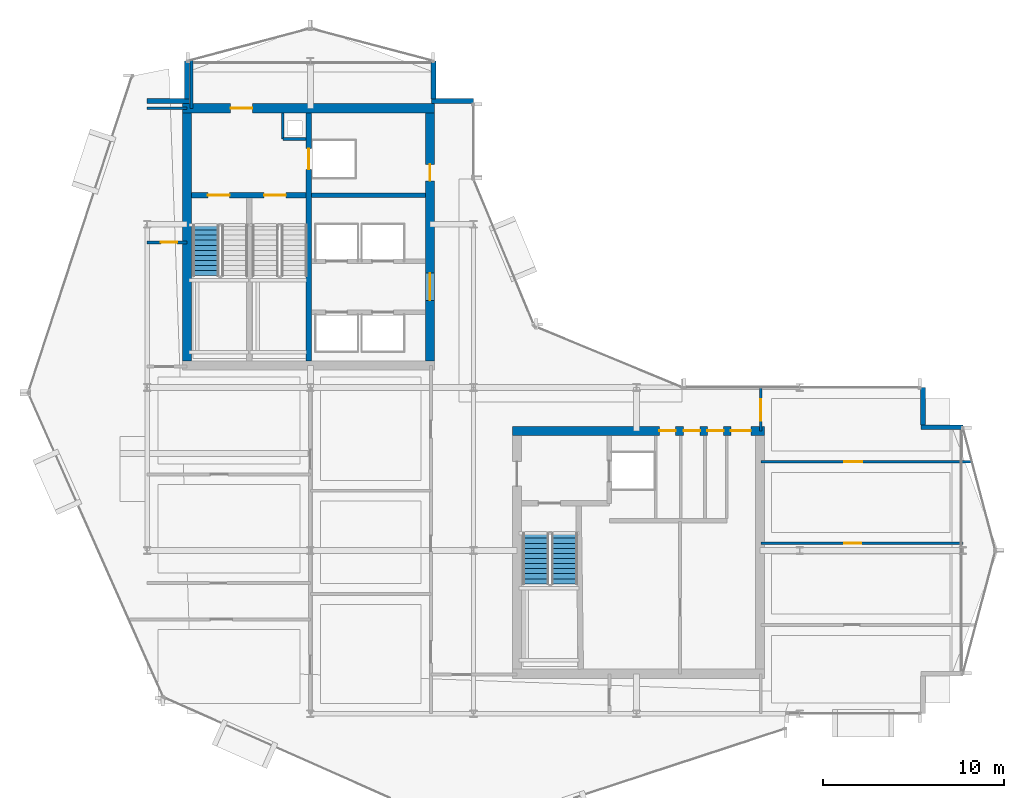
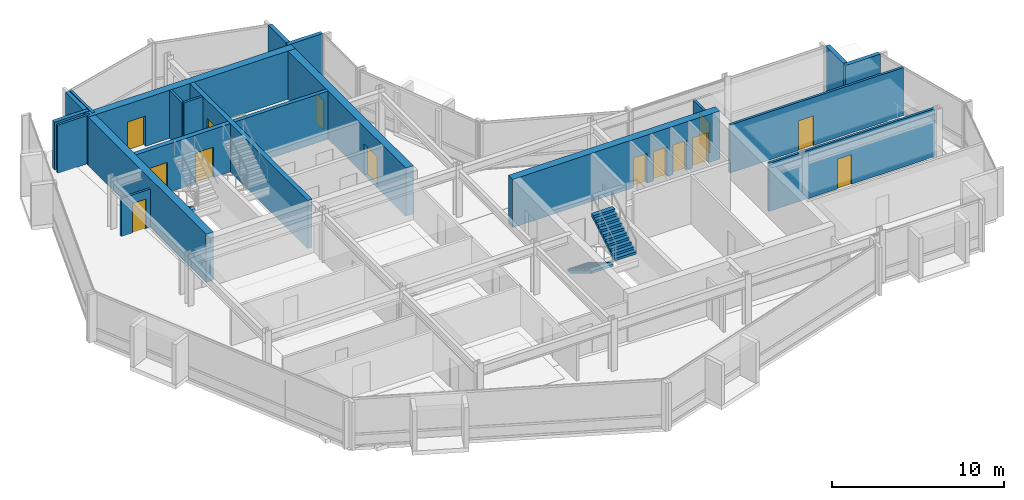
# One storey, part 21 of 28: 21 walls, 14 doors, 3 stair flights, 14 openings, 2 elements without a shape of their own.
"""IFC4 building model written with IfcOpenShell, lengths in metres."""

import ifcopenshell
import ifcopenshell.guid

model = None  # the IFC model being written
_history = None  # IfcOwnerHistory: only IFC2X3 demands one
_inside = {}  # id of a spatial element -> (the spatial element, [elements in it])
_under = {}  # id of a project, library or spatial element -> (it, [spatial elements below it])
_declared = {}  # id of a project -> (the project, [libraries it declares])
_typed = {}  # id of a type object -> (the type object, [elements of that type])
_made_of = {}  # id of a material, layer set ... -> (it, [elements and type objects made of it])


def new_model(schema):
    """Start an empty IFC model of exactly this schema.

    Asked for "IFC4X3", IfcOpenShell would pick the latest addendum, in which some entities
    have other attributes; the version numbers below select the first issue.
    IFC2X3 requires an IfcOwnerHistory on every rooted entity: one is made here for all.
    """
    global model, _history
    if schema == "IFC4X3":
        model = ifcopenshell.file(schema_version=(4, 3, 0, 0))
    else:
        model = ifcopenshell.file(schema=schema)
    _inside.clear()
    _under.clear()
    _declared.clear()
    _typed.clear()
    _made_of.clear()
    _history = None
    if model.schema == "IFC2X3":
        org = make("IfcOrganization", Name="unknown")
        user = make(
            "IfcPersonAndOrganization",
            ThePerson=make("IfcPerson", FamilyName="unknown"),
            TheOrganization=org,
        )
        app = make(
            "IfcApplication",
            ApplicationDeveloper=org,
            Version="unknown",
            ApplicationFullName="unknown",
            ApplicationIdentifier="unknown",
        )
        _history = make(
            "IfcOwnerHistory",
            OwningUser=user,
            OwningApplication=app,
            ChangeAction="ADDED",
            CreationDate=0,
        )
    return model


def make(cls, **values):
    """One entity of the class cls with the attributes given. An attribute that is None is left unset."""
    return model.create_entity(
        cls, **{name: value for name, value in values.items() if value is not None}
    )


def rooted(cls, **values):
    """An entity with a GlobalId (a new one), such as an element, a storey or a relation."""
    return make(cls, GlobalId=ifcopenshell.guid.new(), OwnerHistory=_history, **values)


def si_unit(unit_type, name, prefix=None):
    """IfcSIUnit, for example si_unit("LENGTHUNIT", "METRE", prefix="MILLI")."""
    return make("IfcSIUnit", UnitType=unit_type, Prefix=prefix, Name=name)


def assignment(units):
    """IfcUnitAssignment: the units of a project."""
    return None if units is None else make("IfcUnitAssignment", Units=units)


def point(xyz):
    """IfcCartesianPoint."""
    return None if xyz is None else make("IfcCartesianPoint", Coordinates=xyz)


def direction(xyz):
    """IfcDirection."""
    return None if xyz is None else make("IfcDirection", DirectionRatios=xyz)


def frame(location, z_axis=None, x_axis=None):
    """IfcAxis2Placement3D, a coordinate frame: its origin and axes. An axis left out is left unset."""
    return make(
        "IfcAxis2Placement3D",
        Location=point(location),
        Axis=direction(z_axis),
        RefDirection=direction(x_axis),
    )


def frame_2d(location, x_axis=None):
    """IfcAxis2Placement2D, a coordinate frame in the plane: its origin and x axis."""
    return make(
        "IfcAxis2Placement2D", Location=point(location), RefDirection=direction(x_axis)
    )


def origin():
    """The frame at (0, 0, 0) with its axes left unset."""
    return frame((0.0, 0.0, 0.0))


def place(relative_to, where):
    """IfcLocalPlacement: puts the frame where relative to a parent placement (None: the world)."""
    return make(
        "IfcLocalPlacement", PlacementRelTo=relative_to, RelativePlacement=where
    )


def context(
    kind, dimensions, precision=None, world=None, true_north=None, identifier=None
):
    """IfcGeometricRepresentationContext, for example the 3D "Model" context."""
    return make(
        "IfcGeometricRepresentationContext",
        ContextIdentifier=identifier,
        ContextType=kind,
        CoordinateSpaceDimension=dimensions,
        Precision=precision,
        WorldCoordinateSystem=world,
        TrueNorth=true_north,
    )


def subcontext(parent, identifier, kind, view, scale=None):
    """IfcGeometricRepresentationSubContext, for example "Body" below "Model"."""
    return make(
        "IfcGeometricRepresentationSubContext",
        ContextIdentifier=identifier,
        ContextType=kind,
        ParentContext=parent,
        TargetScale=scale,
        TargetView=view,
    )


def project(units=None, contexts=None):
    """IfcProject with its units and contexts."""
    return rooted(
        "IfcProject",
        Name="project",
        RepresentationContexts=contexts,
        UnitsInContext=assignment(units),
    )


def spatial(cls, under=None, at=None, **own):
    """A site, building, storey or space (cls), placed at a placement, below another one or the project."""
    s = rooted(cls, ObjectPlacement=at, **own)
    if under is not None:
        _under.setdefault(under.id(), (under, []))[1].append(s)
    return s


def polyline(points):
    """IfcPolyline through the points."""
    return make("IfcPolyline", Points=[point(p) for p in points])


def profile(cls, at=None, kind="AREA", **sizes):
    """A parametric profile (cls). Its sizes go by their IFC names, for example OverallWidth=200.0."""
    return make(cls, ProfileType=kind, Position=at, **sizes)


def rectangle(**sizes):
    """IfcRectangleProfileDef."""
    return profile("IfcRectangleProfileDef", **sizes)


def outline(outer, holes=None, kind="AREA"):
    """IfcArbitraryClosedProfileDef: a profile drawn as a closed curve; with holes, ...WithVoids."""
    if holes is None:
        return make("IfcArbitraryClosedProfileDef", ProfileType=kind, OuterCurve=outer)
    return make(
        "IfcArbitraryProfileDefWithVoids",
        ProfileType=kind,
        OuterCurve=outer,
        InnerCurves=holes,
    )


def extrude(swept, where, along, depth):
    """IfcExtrudedAreaSolid: the profile swept, set in the frame where, extruded along a direction by depth."""
    return make(
        "IfcExtrudedAreaSolid",
        SweptArea=swept,
        Position=where,
        ExtrudedDirection=direction(along),
        Depth=depth,
    )


def shape(context_of_items, identifier, shape_type, items):
    """IfcShapeRepresentation: the items that make up one representation, for example the "Body"."""
    return make(
        "IfcShapeRepresentation",
        ContextOfItems=context_of_items,
        RepresentationIdentifier=identifier,
        RepresentationType=shape_type,
        Items=items,
    )


def material(Name=None, Category=None):
    """IfcMaterial."""
    return make("IfcMaterial", Name=Name, Category=Category)


def layer(
    of_material, thickness, ventilated=None, Name=None, Category=None, Priority=None
):
    """IfcMaterialLayer: one layer of a wall or slab, of a material (None: an air gap)."""
    return make(
        "IfcMaterialLayer",
        Material=of_material,
        LayerThickness=thickness,
        IsVentilated=ventilated,
        Name=Name,
        Category=Category,
        Priority=Priority,
    )


def layer_set(layers, Name=None):
    """IfcMaterialLayerSet."""
    return make("IfcMaterialLayerSet", MaterialLayers=layers, LayerSetName=Name)


def made_of(thing, what):
    """Note that an element or type object is made of a material, layer set ...; save() writes the relation."""
    if what is not None:
        _made_of.setdefault(what.id(), (what, []))[1].append(thing)
    return thing


def type_object(cls, material=None, **own):
    """A type object (cls), such as IfcWallType, which elements share."""
    return made_of(rooted(cls, **own), material)


def element(
    cls,
    number,
    at=None,
    inside=None,
    cuts=None,
    type_object=None,
    material=None,
    context=None,
    identifier="Body",
    shape_type=None,
    held_by="IfcProductDefinitionShape",
    body=None,
    shapes=None,
    **own,
):
    """One element of the class cls, such as IfcWall. Its Tag is "e" and its number.

    at: its placement. inside: the storey or other place that contains it. cuts: it is an
    opening in that element (IfcRelVoidsElement). A single representation is given by context,
    identifier, shape_type and body (its items); several are given by shapes. held_by: the class
    of the entity that holds the representations. save() writes the other relations.
    """
    e = rooted(cls, Tag="e%d" % number, ObjectPlacement=at, **own)
    if body is not None:
        shapes = [shape(context, identifier, shape_type, body)]
    if shapes is not None:
        e.Representation = make(held_by, Representations=shapes)
    if inside is not None:
        _inside.setdefault(inside.id(), (inside, []))[1].append(e)
    if cuts is not None:
        rooted(
            "IfcRelVoidsElement", RelatingBuildingElement=cuts, RelatedOpeningElement=e
        )
    if type_object is not None:
        _typed.setdefault(type_object.id(), (type_object, []))[1].append(e)
    return made_of(e, material)


def fill(opening, filler):
    """IfcRelFillsElement: the door or window that sits in an opening."""
    return rooted(
        "IfcRelFillsElement",
        RelatingOpeningElement=opening,
        RelatedBuildingElement=filler,
    )


def aggregate(whole, parts):
    """IfcRelAggregates: a whole, such as a stair, and the parts it consists of."""
    return rooted("IfcRelAggregates", RelatingObject=whole, RelatedObjects=parts)


def save(model, path):
    """Write the relations noted so far, then the file.

    IfcRelAggregates (storeys below a building ...), IfcRelContainedInSpatialStructure (elements
    in a storey), IfcRelDefinesByType, IfcRelAssociatesMaterial and IfcRelDeclares: one each for
    every whole, place, type object, material and project.
    """
    for whole, parts in _under.values():
        aggregate(whole, parts)
    for where, things in _inside.values():
        rooted(
            "IfcRelContainedInSpatialStructure",
            RelatedElements=things,
            RelatingStructure=where,
        )
    for kind, things in _typed.values():
        rooted("IfcRelDefinesByType", RelatedObjects=things, RelatingType=kind)
    for what, things in _made_of.values():
        rooted("IfcRelAssociatesMaterial", RelatedObjects=things, RelatingMaterial=what)
    for by, libraries in _declared.values():
        rooted("IfcRelDeclares", RelatingContext=by, RelatedDefinitions=libraries)
    model.write(path)


model = new_model("IFC4")

# Units and contexts
model_context = context("Model", 3, precision=1e-05, world=origin(), true_north=direction((0.0, 1.0)))
body_context = subcontext(model_context, "Body", "Model", "MODEL_VIEW")
ifc_project = project(units=[si_unit("LENGTHUNIT", "METRE"), si_unit("AREAUNIT", "SQUARE_METRE"), si_unit("VOLUMEUNIT", "CUBIC_METRE"), si_unit("PLANEANGLEUNIT", "RADIAN"), si_unit("MASSUNIT", "GRAM", prefix="KILO")], contexts=[model_context])

# Site, building, storey
site_placement = place(None, origin())
site = spatial("IfcSite", under=ifc_project, at=site_placement, CompositionType="ELEMENT")
building_placement = place(site_placement, origin())
building = spatial("IfcBuilding", under=site, at=building_placement, Name="Solvaryn Broadcast Tower", CompositionType="ELEMENT")
storey_placement = place(building_placement, frame((0.0, 0.0, 213.60009765625)))
storey = spatial("IfcBuildingStorey", under=building, at=storey_placement, Name="L53", CompositionType="ELEMENT", Elevation=213.60009765625)

# Wall, opening, door
ifc_material_1 = material(Name="Concrete f'c 70 MPa", Category="concrete")
ifc_layer_1 = layer(ifc_material_1, 0.5)
ifc_layer_set_1 = layer_set([ifc_layer_1], Name="CW-SHEAR-500")
wall_type_1 = type_object("IfcWallType", Name="CW-SHEAR-500", PredefinedType="SHEAR", material=ifc_layer_set_1)
wall_1_placement = place(storey_placement, frame((24.85009765625, 42.39990234375, 0.0), z_axis=(0.0, 0.0, 1.0), x_axis=(-1.0, 0.0, 0.0)))
wall_1 = element("IfcWall", 1, at=wall_1_placement, inside=storey, type_object=wall_type_1, Name="L53 West Core North Shear Wall", PredefinedType="SHEAR", context=body_context, shape_type="SweptSolid", body=[
    extrude(rectangle(XDim=13.900146484375, YDim=0.5, at=frame_2d((6.9501953125, 0.0))), origin(), (0.0, 0.0, 1.0), 3.419921875),
])
opening_1_placement = place(wall_1_placement, frame((10.050048828125, 0.0, 0.0)))
opening_1 = element("IfcOpeningElement", 2, at=opening_1_placement, cuts=wall_1, Name="Opening FD90A", PredefinedType="OPENING", context=body_context, shape_type="SweptSolid", body=[
    extrude(rectangle(XDim=1.199951171875, YDim=2.14990234375, at=frame_2d((0.60009765625, 1.074951171875))), frame((0.0, 0.260009765625, 0.0), z_axis=(0.0, -1.0, 0.0), x_axis=(1.0, 0.0, 0.0)), (0.0, 0.0, 1.0), 0.52001953125),
])
ifc_material_2 = material(Name="Flush Acoustic Steel and Timber Door Assembly", Category="steel")
door_type_1 = type_object("IfcDoorType", Name="FD90-STAIR-1200X2150", OperationType="NOTDEFINED", PredefinedType="DOOR", material=ifc_material_2)
door_1_placement = place(opening_1_placement, origin())
door_1 = element("IfcDoor", 3, at=door_1_placement, inside=storey, type_object=door_type_1, Name="L53 West FSAE Lobby Corridor Door", OperationType="SINGLE_SWING_LEFT", OverallHeight=2.14990234375, OverallWidth=1.199951171875, PredefinedType="DOOR", context=body_context, shape_type="SweptSolid", body=[
    extrude(rectangle(XDim=1.199951171875, YDim=2.14990234375, at=frame_2d((0.60009765625, 1.074951171875))), frame((0.0, 0.02490234375, 0.0), z_axis=(0.0, -1.0, 0.0), x_axis=(1.0, 0.0, 0.0)), (0.0, 0.0, 1.0), 0.050048828125),
])
fill(opening_1, door_1)

# Wall
wall_2_placement = place(storey_placement, frame((11.199951171875, 42.14990234375, 0.0), z_axis=(0.0, 0.0, 1.0), x_axis=(0.0, -1.0, 0.0)))
element("IfcWall", 4, at=wall_2_placement, inside=storey, type_object=wall_type_1, Name="L53 West Core West Shear Wall", PredefinedType="SHEAR", context=body_context, shape_type="SweptSolid", body=[
    extrude(rectangle(XDim=13.699951171875, YDim=0.5, at=frame_2d((6.85009765625, 0.0))), origin(), (0.0, 0.0, 1.0), 3.419921875),
])

# Wall, openings, doors
wall_3_placement = place(storey_placement, frame((24.60009765625, 28.449951171875, 0.0), z_axis=(0.0, 0.0, 1.0), x_axis=(0.0, 1.0, 0.0)))
wall_3 = element("IfcWall", 5, at=wall_3_placement, inside=storey, type_object=wall_type_1, Name="L53 West Core East Shear Wall", PredefinedType="SHEAR", context=body_context, shape_type="SweptSolid", body=[
    extrude(rectangle(XDim=13.699951171875, YDim=0.5, at=frame_2d((6.85009765625, 0.0))), origin(), (0.0, 0.0, 1.0), 3.419921875),
])
opening_2_placement = place(wall_3_placement, frame((3.35009765625, 0.0, 0.0)))
opening_2 = element("IfcOpeningElement", 6, at=opening_2_placement, cuts=wall_3, Name="Opening FD60A", PredefinedType="OPENING", context=body_context, shape_type="SweptSolid", body=[
    extrude(rectangle(XDim=1.5, YDim=2.199951171875, at=frame_2d((0.75, 1.10009765625))), frame((0.0, 0.260009765625, 0.0), z_axis=(0.0, -1.0, 0.0), x_axis=(1.0, 0.0, 0.0)), (0.0, 0.0, 1.0), 0.52001953125),
])
opening_3_placement = place(wall_3_placement, frame((9.949951171875, 0.0, 0.0)))
opening_3 = element("IfcOpeningElement", 7, at=opening_3_placement, cuts=wall_3, Name="Opening FD60C", PredefinedType="OPENING", context=body_context, shape_type="SweptSolid", body=[
    extrude(rectangle(XDim=0.89990234375, YDim=2.10009765625, at=frame_2d((0.449951171875, 1.050048828125))), frame((0.0, 0.260009765625, 0.0), z_axis=(0.0, -1.0, 0.0), x_axis=(1.0, 0.0, 0.0)), (0.0, 0.0, 1.0), 0.52001953125),
])
ifc_material_3 = material(Name="Flush Acoustic Steel and Timber Door Assembly", Category="steel")
door_type_2 = type_object("IfcDoorType", Name="FD60-CORR-1500X2200", OperationType="NOTDEFINED", PredefinedType="DOOR", material=ifc_material_3)
door_2_placement = place(opening_2_placement, origin())
door_2 = element("IfcDoor", 8, at=door_2_placement, inside=storey, type_object=door_type_2, Name="L53 West Elevator Lobby Corridor Door", OperationType="DOUBLE_DOOR_SINGLE_SWING", OverallHeight=2.199951171875, OverallWidth=1.5, PredefinedType="DOOR", context=body_context, shape_type="SweptSolid", body=[
    extrude(rectangle(XDim=1.5, YDim=2.199951171875, at=frame_2d((0.75, 1.10009765625))), frame((0.0, 0.02490234375, 0.0), z_axis=(0.0, -1.0, 0.0), x_axis=(1.0, 0.0, 0.0)), (0.0, 0.0, 1.0), 0.050048828125),
])
fill(opening_2, door_2)
ifc_material_4 = material(Name="Flush Acoustic Steel and Timber Door Assembly", Category="steel")
door_type_3 = type_object("IfcDoorType", Name="FD60-SERV-900X2100", OperationType="NOTDEFINED", PredefinedType="DOOR", material=ifc_material_4)
door_3_placement = place(opening_3_placement, origin())
door_3 = element("IfcDoor", 9, at=door_3_placement, inside=storey, type_object=door_type_3, Name="L53 West Core Service Door 1", OperationType="SINGLE_SWING_LEFT", OverallHeight=2.10009765625, OverallWidth=0.89990234375, PredefinedType="DOOR", context=body_context, shape_type="SweptSolid", body=[
    extrude(rectangle(XDim=0.89990234375, YDim=2.10009765625, at=frame_2d((0.449951171875, 1.050048828125))), frame((0.0, 0.02490234375, 0.0), z_axis=(0.0, -1.0, 0.0), x_axis=(1.0, 0.0, 0.0)), (0.0, 0.0, 1.0), 0.050048828125),
])
fill(opening_3, door_3)

wall_4_placement = place(storey_placement, frame((43.050048828125, 24.60009765625, 0.0), z_axis=(0.0, 0.0, 1.0), x_axis=(-1.0, 0.0, 0.0)))
wall_4 = element("IfcWall", 10, at=wall_4_placement, inside=storey, type_object=wall_type_1, Name="L53 East Core North Shear Wall", PredefinedType="SHEAR", context=body_context, shape_type="SweptSolid", body=[
    extrude(rectangle(XDim=13.900146484375, YDim=0.5, at=frame_2d((6.9501953125, 0.0))), origin(), (0.0, 0.0, 1.0), 3.419921875),
])
opening_4_placement = place(wall_4_placement, frame((0.75, 0.0, 0.0)))
opening_4 = element("IfcOpeningElement", 11, at=opening_4_placement, cuts=wall_4, Name="Opening FD90C", PredefinedType="OPENING", context=body_context, shape_type="SweptSolid", body=[
    extrude(rectangle(XDim=1.10009765625, YDim=2.14990234375, at=frame_2d((0.550048828125, 1.074951171875))), frame((0.0, 0.260009765625, 0.0), z_axis=(0.0, -1.0, 0.0), x_axis=(1.0, 0.0, 0.0)), (0.0, 0.0, 1.0), 0.52001953125),
])
opening_5_placement = place(wall_4_placement, frame((2.25, 0.0, 0.0)))
opening_5 = element("IfcOpeningElement", 12, at=opening_5_placement, cuts=wall_4, Name="Opening FD60C", PredefinedType="OPENING", context=body_context, shape_type="SweptSolid", body=[
    extrude(rectangle(XDim=0.89990234375, YDim=2.10009765625, at=frame_2d((0.449951171875, 1.050048828125))), frame((0.0, 0.260009765625, 0.0), z_axis=(0.0, -1.0, 0.0), x_axis=(1.0, 0.0, 0.0)), (0.0, 0.0, 1.0), 0.52001953125),
])
opening_6_placement = place(wall_4_placement, frame((3.550048828125, 0.0, 0.0)))
opening_6 = element("IfcOpeningElement", 13, at=opening_6_placement, cuts=wall_4, Name="Opening FD60C", PredefinedType="OPENING", context=body_context, shape_type="SweptSolid", body=[
    extrude(rectangle(XDim=0.89990234375, YDim=2.10009765625, at=frame_2d((0.449951171875, 1.050048828125))), frame((0.0, 0.260009765625, 0.0), z_axis=(0.0, -1.0, 0.0), x_axis=(1.0, 0.0, 0.0)), (0.0, 0.0, 1.0), 0.52001953125),
])
opening_7_placement = place(wall_4_placement, frame((4.89990234375, 0.0, 0.0)))
opening_7 = element("IfcOpeningElement", 14, at=opening_7_placement, cuts=wall_4, Name="Opening FD60C", PredefinedType="OPENING", context=body_context, shape_type="SweptSolid", body=[
    extrude(rectangle(XDim=0.89990234375, YDim=2.10009765625, at=frame_2d((0.449951171875, 1.050048828125))), frame((0.0, 0.260009765625, 0.0), z_axis=(0.0, -1.0, 0.0), x_axis=(1.0, 0.0, 0.0)), (0.0, 0.0, 1.0), 0.52001953125),
])
door_4_placement = place(opening_5_placement, origin())
door_4 = element("IfcDoor", 15, at=door_4_placement, inside=storey, type_object=door_type_3, Name="L53 Core Wellness Room Door", OperationType="SINGLE_SWING_RIGHT", OverallHeight=2.10009765625, OverallWidth=0.89990234375, PredefinedType="DOOR", context=body_context, shape_type="SweptSolid", body=[
    extrude(rectangle(XDim=0.89990234375, YDim=2.10009765625, at=frame_2d((0.449951171875, 1.050048828125))), frame((0.0, 0.02490234375, 0.0), z_axis=(0.0, -1.0, 0.0), x_axis=(1.0, 0.0, 0.0)), (0.0, 0.0, 1.0), 0.050048828125),
])
fill(opening_5, door_4)
door_5_placement = place(opening_6_placement, origin())
door_5 = element("IfcDoor", 16, at=door_5_placement, inside=storey, type_object=door_type_3, Name="L53 Staff Restroom Door", OperationType="SINGLE_SWING_LEFT", OverallHeight=2.10009765625, OverallWidth=0.89990234375, PredefinedType="DOOR", context=body_context, shape_type="SweptSolid", body=[
    extrude(rectangle(XDim=0.89990234375, YDim=2.10009765625, at=frame_2d((0.449951171875, 1.050048828125))), frame((0.0, 0.02490234375, 0.0), z_axis=(0.0, -1.0, 0.0), x_axis=(1.0, 0.0, 0.0)), (0.0, 0.0, 1.0), 0.050048828125),
])
fill(opening_6, door_5)
door_6_placement = place(opening_7_placement, origin())
door_6 = element("IfcDoor", 17, at=door_6_placement, inside=storey, type_object=door_type_3, Name="L53 Accessible WC Door", OperationType="SINGLE_SWING_RIGHT", OverallHeight=2.10009765625, OverallWidth=0.89990234375, PredefinedType="DOOR", context=body_context, shape_type="SweptSolid", body=[
    extrude(rectangle(XDim=0.89990234375, YDim=2.10009765625, at=frame_2d((0.449951171875, 1.050048828125))), frame((0.0, 0.02490234375, 0.0), z_axis=(0.0, -1.0, 0.0), x_axis=(1.0, 0.0, 0.0)), (0.0, 0.0, 1.0), 0.050048828125),
])
fill(opening_7, door_6)
ifc_material_5 = material(Name="Flush Acoustic Steel and Timber Door Assembly", Category="steel")
door_type_4 = type_object("IfcDoorType", Name="FD90-PLANT-1100X2150", OperationType="NOTDEFINED", PredefinedType="DOOR", material=ifc_material_5)
door_7_placement = place(opening_4_placement, origin())
door_7 = element("IfcDoor", 18, at=door_7_placement, inside=storey, type_object=door_type_4, Name="L53 East Core Lobby Corridor Door", OperationType="SINGLE_SWING_LEFT", OverallHeight=2.14990234375, OverallWidth=1.10009765625, PredefinedType="DOOR", context=body_context, shape_type="SweptSolid", body=[
    extrude(rectangle(XDim=1.10009765625, YDim=2.14990234375, at=frame_2d((0.550048828125, 1.074951171875))), frame((0.0, 0.02490234375, 0.0), z_axis=(0.0, -1.0, 0.0), x_axis=(1.0, 0.0, 0.0)), (0.0, 0.0, 1.0), 0.050048828125),
])
fill(opening_4, door_7)

# Walls
ifc_material_6 = material(Name="Concrete f'c 50 MPa", Category="concrete")
ifc_layer_2 = layer(ifc_material_6, 0.260009765625)
ifc_layer_set_2 = layer_set([ifc_layer_2], Name="EW-PIER-260")
wall_type_2 = type_object("IfcWallType", Name="EW-PIER-260", PredefinedType="SOLIDWALL", material=ifc_layer_set_2)
wall_5_placement = place(storey_placement, frame((9.0, 42.800048828125, 0.0), z_axis=(0.0, 0.0, 1.0), x_axis=(1.0, 0.0, 0.0)))
element("IfcWall", 19, at=wall_5_placement, inside=storey, type_object=wall_type_2, Name="L53 Notched Corner Pier Wall NNW1", PredefinedType="SOLIDWALL", context=body_context, shape_type="SweptSolid", body=[
    extrude(rectangle(XDim=2.320068359375, YDim=0.260009765625, at=frame_2d((1.16015625, 0.0))), origin(), (0.0, 0.0, 1.0), 3.419921875),
])
for number, where, z_axis, x_axis, name in (
    (20, (11.199951171875, 42.919921875, 0.0), (0.0, 0.0, 1.0), (0.0, 1.0, 0.0), "L53 Notched Corner Pier Wall NNW2"),
    (21, (24.800048828125, 45.0, 0.0), (0.0, 0.0, 1.0), (0.0, -1.0, 0.0), "L53 Notched Corner Pier Wall NNE1"),
):
    element("IfcWall", number, at=place(storey_placement, frame(where, z_axis=z_axis, x_axis=x_axis)), inside=storey, type_object=wall_type_2, Name=name, PredefinedType="SOLIDWALL", context=body_context, shape_type="SweptSolid", body=[
        extrude(rectangle(XDim=2.080078125, YDim=0.260009765625, at=frame_2d((1.0400390625, 0.0))), origin(), (0.0, 0.0, 1.0), 3.419921875),
    ])
for number, where, z_axis, x_axis, name in (
    (22, (24.679931640625, 42.800048828125, 0.0), (0.0, 0.0, 1.0), (1.0, 0.0, 0.0), "L53 Notched Corner Pier Wall NNE2"),
    (23, (54.0, 24.800048828125, 0.0), (0.0, 0.0, 1.0), (-1.0, 0.0, 0.0), "L53 Notched Corner Pier Wall NEE1"),
):
    element("IfcWall", number, at=place(storey_placement, frame(where, z_axis=z_axis, x_axis=x_axis)), inside=storey, type_object=wall_type_2, Name=name, PredefinedType="SOLIDWALL", context=body_context, shape_type="SweptSolid", body=[
        extrude(rectangle(XDim=2.320068359375, YDim=0.260009765625, at=frame_2d((1.16015625, 0.0))), origin(), (0.0, 0.0, 1.0), 3.419921875),
    ])
wall_6_placement = place(storey_placement, frame((51.800048828125, 24.919921875, 0.0), z_axis=(0.0, 0.0, 1.0), x_axis=(0.0, 1.0, 0.0)))
element("IfcWall", 24, at=wall_6_placement, inside=storey, type_object=wall_type_2, Name="L53 Notched Corner Pier Wall NEE2", PredefinedType="SOLIDWALL", context=body_context, shape_type="SweptSolid", body=[
    extrude(rectangle(XDim=2.080078125, YDim=0.260009765625, at=frame_2d((1.0400390625, 0.0))), origin(), (0.0, 0.0, 1.0), 3.419921875),
])
ifc_material_7 = material(Name="Metal-Stud Service Core Partition")
ifc_layer_3 = layer(ifc_material_7, 0.14990234375)
ifc_layer_set_3 = layer_set([ifc_layer_3], Name="IW-PART-150")
wall_type_3 = type_object("IfcWallType", Name="IW-PART-150", PredefinedType="PARTITIONING", material=ifc_layer_set_3)
wall_7_placement = place(storey_placement, frame((16.47998046875, 40.699951171875, 0.0), z_axis=(0.0, 0.0, 1.0), x_axis=(1.0, 0.0, 0.0)))
element("IfcWall", 25, at=wall_7_placement, inside=storey, type_object=wall_type_3, Name="L53 West Core Riser Shaft South Wall", PredefinedType="PARTITIONING", context=body_context, shape_type="SweptSolid", body=[
    extrude(rectangle(XDim=1.2900390625, YDim=0.14990234375, at=frame_2d((0.64501953125, 0.0))), origin(), (0.0, 0.0, 1.0), 3.419921875),
])
wall_8_placement = place(storey_placement, frame((16.47998046875, 40.699951171875, 0.0), z_axis=(0.0, 0.0, 1.0), x_axis=(0.0, 1.0, 0.0)))
element("IfcWall", 26, at=wall_8_placement, inside=storey, type_object=wall_type_3, Name="L53 West Core Riser Shaft West Wall", PredefinedType="PARTITIONING", context=body_context, shape_type="SweptSolid", body=[
    extrude(rectangle(XDim=1.449951171875, YDim=0.14990234375, at=frame_2d((0.72509765625, 0.0))), origin(), (0.0, 0.0, 1.0), 3.419921875),
])

# Wall, opening, door
wall_9_placement = place(storey_placement, frame((9.0, 35.0, 0.0), z_axis=(0.0, 0.0, 1.0), x_axis=(1.0, 0.0, 0.0)))
wall_9 = element("IfcWall", 27, at=wall_9_placement, inside=storey, type_object=wall_type_3, Name="L53 Interior Partition IW-L53-WM-M", PredefinedType="PARTITIONING", context=body_context, shape_type="SweptSolid", body=[
    extrude(rectangle(XDim=2.199951171875, YDim=0.14990234375, at=frame_2d((1.10009765625, 0.0))), origin(), (0.0, 0.0, 1.0), 2.706787109375),
])
opening_8_placement = place(wall_9_placement, frame((0.75, 0.0, 0.0)))
opening_8 = element("IfcOpeningElement", 28, at=opening_8_placement, cuts=wall_9, Name="Opening FD60C", PredefinedType="OPENING", context=body_context, shape_type="SweptSolid", body=[
    extrude(rectangle(XDim=0.89990234375, YDim=2.10009765625, at=frame_2d((0.449951171875, 1.050048828125))), frame((0.0, 0.0849609375, 0.0), z_axis=(0.0, -1.0, 0.0), x_axis=(1.0, 0.0, 0.0)), (0.0, 0.0, 1.0), 0.169921875),
])
door_8_placement = place(opening_8_placement, origin())
door_8 = element("IfcDoor", 29, at=door_8_placement, inside=storey, type_object=door_type_3, Name="L53 Door DR-L53-WM1", OperationType="SINGLE_SWING_RIGHT", OverallHeight=2.10009765625, OverallWidth=0.89990234375, PredefinedType="DOOR", context=body_context, shape_type="SweptSolid", body=[
    extrude(rectangle(XDim=0.89990234375, YDim=2.10009765625, at=frame_2d((0.449951171875, 1.050048828125))), frame((0.0, 0.02490234375, 0.0), z_axis=(0.0, -1.0, 0.0), x_axis=(1.0, 0.0, 0.0)), (0.0, 0.0, 1.0), 0.050048828125),
])
fill(opening_8, door_8)

# Walls
ifc_material_8 = material(Name="Metal-Stud Gypsum Office Partition")
ifc_layer_4 = layer(ifc_material_8, 0.159912109375)
ifc_layer_set_4 = layer_set([ifc_layer_4], Name="IW-PART-160")
wall_type_4 = type_object("IfcWallType", Name="IW-PART-160", PredefinedType="PARTITIONING", material=ifc_layer_set_4)
wall_10_placement = place(storey_placement, frame((9.0, 42.39990234375, 0.0), z_axis=(0.0, 0.0, 1.0), x_axis=(1.0, 0.0, 0.0)))
element("IfcWall", 30, at=wall_10_placement, inside=storey, type_object=wall_type_4, Name="L53 Interior Partition IW-L53-WM-N", PredefinedType="PARTITIONING", context=body_context, shape_type="SweptSolid", body=[
    extrude(rectangle(XDim=2.199951171875, YDim=0.159912109375, at=frame_2d((1.10009765625, 0.0))), origin(), (0.0, 0.0, 1.0), 3.419921875),
])
wall_11_placement = place(storey_placement, frame((11.449951171875, 42.39990234375, 0.0), z_axis=(0.0, 0.0, 1.0), x_axis=(0.0, 1.0, 0.0)))
element("IfcWall", 31, at=wall_11_placement, inside=storey, type_object=wall_type_4, Name="L53 Interior Partition IW-L53-WM-E", PredefinedType="PARTITIONING", context=body_context, shape_type="SweptSolid", body=[
    extrude(rectangle(XDim=2.666015625, YDim=0.159912109375, at=frame_2d((1.3330078125, 0.0))), origin(), (0.0, 0.0, 1.0), 3.419921875),
])

# Wall, opening, door
wall_12_placement = place(storey_placement, frame((42.85009765625, 24.60009765625, 0.0), z_axis=(0.0, 0.0, 1.0), x_axis=(0.0, 1.0, 0.0)))
wall_12 = element("IfcWall", 32, at=wall_12_placement, inside=storey, type_object=wall_type_4, Name="L53 Interior Partition IW-L53-EW-BN", PredefinedType="PARTITIONING", context=body_context, shape_type="SweptSolid", body=[
    extrude(rectangle(XDim=2.39990234375, YDim=0.159912109375, at=frame_2d((1.199951171875, 0.0))), origin(), (0.0, 0.0, 1.0), 2.706787109375),
])
opening_9_placement = place(wall_12_placement, frame((0.550048828125, 0.0, 0.0)))
opening_9 = element("IfcOpeningElement", 33, at=opening_9_placement, cuts=wall_12, Name="Opening ID04", PredefinedType="OPENING", context=body_context, shape_type="SweptSolid", body=[
    extrude(rectangle(XDim=1.199951171875, YDim=2.14990234375, at=frame_2d((0.60009765625, 1.074951171875))), frame((0.0, 0.090087890625, 0.0), z_axis=(0.0, -1.0, 0.0), x_axis=(1.0, 0.0, 0.0)), (0.0, 0.0, 1.0), 0.179931640625),
])
ifc_material_9 = material(Name="Flush Acoustic Steel and Timber Door Assembly", Category="steel")
door_type_5 = type_object("IfcDoorType", Name="ID-04-1200X2150", OperationType="NOTDEFINED", PredefinedType="DOOR", material=ifc_material_9)
door_9_placement = place(opening_9_placement, origin())
door_9 = element("IfcDoor", 34, at=door_9_placement, inside=storey, type_object=door_type_5, Name="L53 Door DR-L53-EW0", OperationType="SINGLE_SWING_LEFT", OverallHeight=2.14990234375, OverallWidth=1.199951171875, PredefinedType="DOOR", context=body_context, shape_type="SweptSolid", body=[
    extrude(rectangle(XDim=1.199951171875, YDim=2.14990234375, at=frame_2d((0.60009765625, 1.074951171875))), frame((0.0, 0.02490234375, 0.0), z_axis=(0.0, -1.0, 0.0), x_axis=(1.0, 0.0, 0.0)), (0.0, 0.0, 1.0), 0.050048828125),
])
fill(opening_9, door_9)

wall_13_placement = place(storey_placement, frame((42.85009765625, 18.39990234375, 0.0), z_axis=(0.0, 0.0, 1.0), x_axis=(1.0, 0.0, 0.0)))
wall_13 = element("IfcWall", 35, at=wall_13_placement, inside=storey, type_object=wall_type_4, Name="L53 Interior Partition IW-L53-EW-H2", PredefinedType="PARTITIONING", context=body_context, shape_type="SweptSolid", body=[
    extrude(rectangle(XDim=11.14990234375, YDim=0.159912109375, at=frame_2d((5.574951171875, 0.0))), origin(), (0.0, 0.0, 1.0), 3.419921875),
])
opening_10_placement = place(wall_13_placement, frame((4.60009765625, 0.0, 0.0)))
opening_10 = element("IfcOpeningElement", 36, at=opening_10_placement, cuts=wall_13, Name="Opening ID01", PredefinedType="OPENING", context=body_context, shape_type="SweptSolid", body=[
    extrude(rectangle(XDim=0.949951171875, YDim=2.10009765625, at=frame_2d((0.47509765625, 1.050048828125))), frame((0.0, 0.090087890625, 0.0), z_axis=(0.0, -1.0, 0.0), x_axis=(1.0, 0.0, 0.0)), (0.0, 0.0, 1.0), 0.179931640625),
])
ifc_material_10 = material(Name="Flush Acoustic Steel and Timber Door Assembly", Category="steel")
door_type_6 = type_object("IfcDoorType", Name="ID-01-950X2100", OperationType="NOTDEFINED", PredefinedType="DOOR", material=ifc_material_10)
door_10_placement = place(opening_10_placement, origin())
door_10 = element("IfcDoor", 37, at=door_10_placement, inside=storey, type_object=door_type_6, Name="L53 Door DR-L53-EW-2", OperationType="SINGLE_SWING_LEFT", OverallHeight=2.10009765625, OverallWidth=0.949951171875, PredefinedType="DOOR", context=body_context, shape_type="SweptSolid", body=[
    extrude(rectangle(XDim=0.949951171875, YDim=2.10009765625, at=frame_2d((0.47509765625, 1.050048828125))), frame((0.0, 0.02490234375, 0.0), z_axis=(0.0, -1.0, 0.0), x_axis=(1.0, 0.0, 0.0)), (0.0, 0.0, 1.0), 0.050048828125),
])
fill(opening_10, door_10)

wall_14_placement = place(storey_placement, frame((42.85009765625, 22.89990234375, 0.0), z_axis=(0.0, 0.0, 1.0), x_axis=(1.0, 0.0, 0.0)))
wall_14 = element("IfcWall", 38, at=wall_14_placement, inside=storey, type_object=wall_type_4, Name="L53 Interior Partition IW-L53-EW-H3", PredefinedType="PARTITIONING", context=body_context, shape_type="SweptSolid", body=[
    extrude(rectangle(XDim=11.65283203125, YDim=0.159912109375, at=frame_2d((5.826416015625, 0.0))), origin(), (0.0, 0.0, 1.0), 3.419921875),
])
opening_11_placement = place(wall_14_placement, frame((4.60009765625, 0.0, 0.0)))
opening_11 = element("IfcOpeningElement", 39, at=opening_11_placement, cuts=wall_14, Name="Opening ID02", PredefinedType="OPENING", context=body_context, shape_type="SweptSolid", body=[
    extrude(rectangle(XDim=1.0, YDim=2.10009765625, at=frame_2d((0.5, 1.050048828125))), frame((0.0, 0.090087890625, 0.0), z_axis=(0.0, -1.0, 0.0), x_axis=(1.0, 0.0, 0.0)), (0.0, 0.0, 1.0), 0.179931640625),
])
ifc_material_11 = material(Name="Flush Acoustic Steel and Timber Door Assembly", Category="steel")
door_type_7 = type_object("IfcDoorType", Name="ID-02-1000X2100", OperationType="NOTDEFINED", PredefinedType="DOOR", material=ifc_material_11)
door_11_placement = place(opening_11_placement, origin())
door_11 = element("IfcDoor", 40, at=door_11_placement, inside=storey, type_object=door_type_7, Name="L53 Door DR-L53-EW-3", OperationType="SINGLE_SWING_RIGHT", OverallHeight=2.10009765625, OverallWidth=1.0, PredefinedType="DOOR", context=body_context, shape_type="SweptSolid", body=[
    extrude(rectangle(XDim=1.0, YDim=2.10009765625, at=frame_2d((0.5, 1.050048828125))), frame((0.0, 0.02490234375, 0.0), z_axis=(0.0, -1.0, 0.0), x_axis=(1.0, 0.0, 0.0)), (0.0, 0.0, 1.0), 0.050048828125),
])
fill(opening_11, door_11)

# Wall
ifc_material_12 = material(Name="Concrete f'c 60 MPa", Category="concrete")
ifc_layer_5 = layer(ifc_material_12, 0.25)
ifc_layer_set_5 = layer_set([ifc_layer_5], Name="SW-SHAFT-250")
wall_type_5 = type_object("IfcWallType", Name="SW-SHAFT-250", PredefinedType="PARTITIONING", material=ifc_layer_set_5)
wall_15_placement = place(storey_placement, frame((18.070068359375, 37.60009765625, 0.0), z_axis=(0.0, 0.0, 1.0), x_axis=(1.0, 0.0, 0.0)))
element("IfcWall", 41, at=wall_15_placement, inside=storey, type_object=wall_type_5, Name="L53 West Core FSAE Hoistway Front Wall", PredefinedType="PARTITIONING", context=body_context, shape_type="SweptSolid", body=[
    extrude(rectangle(XDim=6.280029296875, YDim=0.25, at=frame_2d((3.14013671875, 0.0))), origin(), (0.0, 0.0, 1.0), 3.419921875),
])

# Wall, opening, door
ifc_material_13 = material(Name="Concrete f'c 70 MPa", Category="concrete")
ifc_layer_6 = layer(ifc_material_13, 0.300048828125)
ifc_layer_set_6 = layer_set([ifc_layer_6], Name="SW-SHAFT-300")
wall_type_6 = type_object("IfcWallType", Name="SW-SHAFT-300", PredefinedType="SHEAR", material=ifc_layer_set_6)
wall_16_placement = place(storey_placement, frame((17.919921875, 42.14990234375, 0.0), z_axis=(0.0, 0.0, 1.0), x_axis=(0.0, -1.0, 0.0)))
wall_16 = element("IfcWall", 42, at=wall_16_placement, inside=storey, type_object=wall_type_6, Name="L53 West Core Stair-Lobby Shear Wall", PredefinedType="SHEAR", context=body_context, shape_type="SweptSolid", body=[
    extrude(rectangle(XDim=13.699951171875, YDim=0.300048828125, at=frame_2d((6.85009765625, 0.0))), origin(), (0.0, 0.0, 1.0), 3.419921875),
])
opening_12_placement = place(wall_16_placement, frame((1.97509765625, 0.0, 0.0)))
opening_12 = element("IfcOpeningElement", 43, at=opening_12_placement, cuts=wall_16, Name="Opening LD01", PredefinedType="OPENING", context=body_context, shape_type="SweptSolid", body=[
    extrude(rectangle(XDim=1.14990234375, YDim=2.14990234375, at=frame_2d((0.574951171875, 1.074951171875))), frame((0.0, 0.159912109375, 0.0), z_axis=(0.0, -1.0, 0.0), x_axis=(1.0, 0.0, 0.0)), (0.0, 0.0, 1.0), 0.320068359375),
])
ifc_material_14 = material(Name="Flush Acoustic Steel and Timber Door Assembly", Category="steel")
door_type_8 = type_object("IfcDoorType", Name="LD-LIFT-1150X2150", OperationType="NOTDEFINED", PredefinedType="DOOR", material=ifc_material_14)
door_12_placement = place(opening_12_placement, origin())
door_12 = element("IfcDoor", 44, at=door_12_placement, inside=storey, type_object=door_type_8, Name="L53 FL1 Lift Landing Door", OperationType="DOUBLE_DOOR_SLIDING", OverallHeight=2.14990234375, OverallWidth=1.14990234375, PredefinedType="DOOR", context=body_context, shape_type="SweptSolid", body=[
    extrude(rectangle(XDim=1.14990234375, YDim=2.14990234375, at=frame_2d((0.574951171875, 1.074951171875))), frame((0.0, 0.02490234375, 0.0), z_axis=(0.0, -1.0, 0.0), x_axis=(1.0, 0.0, 0.0)), (0.0, 0.0, 1.0), 0.050048828125),
])
fill(opening_12, door_12)

# Wall, openings, doors
wall_17_placement = place(storey_placement, frame((17.77001953125, 37.60009765625, 0.0), z_axis=(0.0, 0.0, 1.0), x_axis=(-1.0, 0.0, 0.0)))
wall_17 = element("IfcWall", 45, at=wall_17_placement, inside=storey, type_object=wall_type_6, Name="L53 West Core FSAE Lobby South Wall", PredefinedType="SHEAR", context=body_context, shape_type="SweptSolid", body=[
    extrude(rectangle(XDim=6.320068359375, YDim=0.300048828125, at=frame_2d((3.16015625, 0.0))), origin(), (0.0, 0.0, 1.0), 3.419921875),
])
opening_13_placement = place(wall_17_placement, frame((4.219970703125, 0.0, 0.0)))
opening_13 = element("IfcOpeningElement", 46, at=opening_13_placement, cuts=wall_17, Name="Opening FD90A", PredefinedType="OPENING", context=body_context, shape_type="SweptSolid", body=[
    extrude(rectangle(XDim=1.199951171875, YDim=2.14990234375, at=frame_2d((0.60009765625, 1.074951171875))), frame((0.0, 0.159912109375, 0.0), z_axis=(0.0, -1.0, 0.0), x_axis=(1.0, 0.0, 0.0)), (0.0, 0.0, 1.0), 0.320068359375),
])
opening_14_placement = place(wall_17_placement, frame((1.1201171875, 0.0, 0.0)))
opening_14 = element("IfcOpeningElement", 47, at=opening_14_placement, cuts=wall_17, Name="Opening FD90A", PredefinedType="OPENING", context=body_context, shape_type="SweptSolid", body=[
    extrude(rectangle(XDim=1.199951171875, YDim=2.14990234375, at=frame_2d((0.60009765625, 1.074951171875))), frame((0.0, 0.159912109375, 0.0), z_axis=(0.0, -1.0, 0.0), x_axis=(1.0, 0.0, 0.0)), (0.0, 0.0, 1.0), 0.320068359375),
])
door_13_placement = place(opening_13_placement, origin())
door_13 = element("IfcDoor", 48, at=door_13_placement, inside=storey, type_object=door_type_1, Name="L53 Stair 1 Fire Door", OperationType="SINGLE_SWING_LEFT", OverallHeight=2.14990234375, OverallWidth=1.199951171875, PredefinedType="DOOR", context=body_context, shape_type="SweptSolid", body=[
    extrude(rectangle(XDim=1.199951171875, YDim=2.14990234375, at=frame_2d((0.60009765625, 1.074951171875))), frame((0.0, 0.02490234375, 0.0), z_axis=(0.0, -1.0, 0.0), x_axis=(1.0, 0.0, 0.0)), (0.0, 0.0, 1.0), 0.050048828125),
])
fill(opening_13, door_13)
door_14_placement = place(opening_14_placement, origin())
door_14 = element("IfcDoor", 49, at=door_14_placement, inside=storey, type_object=door_type_1, Name="L53 Stair 2 Fire Door", OperationType="SINGLE_SWING_RIGHT", OverallHeight=2.14990234375, OverallWidth=1.199951171875, PredefinedType="DOOR", context=body_context, shape_type="SweptSolid", body=[
    extrude(rectangle(XDim=1.199951171875, YDim=2.14990234375, at=frame_2d((0.60009765625, 1.074951171875))), frame((0.0, 0.02490234375, 0.0), z_axis=(0.0, -1.0, 0.0), x_axis=(1.0, 0.0, 0.0)), (0.0, 0.0, 1.0), 0.050048828125),
])
fill(opening_14, door_14)

# Stair, stair flight
ifc_material_15 = material(Name="Concrete f'c 60 MPa", Category="concrete")
stair_type = type_object("IfcStairType", Name="ST-CORE", PredefinedType="HALF_TURN_STAIR", material=ifc_material_15)
stair_1_placement = place(storey_placement, origin())
stair_1 = element("IfcStair", 50, at=stair_1_placement, inside=storey, type_object=stair_type, Name="L53 ST1", PredefinedType="HALF_TURN_STAIR")
ifc_material_16 = material(Name="Concrete f'c 60 MPa", Category="concrete")
ifc_layer_7 = layer(ifc_material_16, 0.159912109375)
ifc_layer_set_7 = layer_set([ifc_layer_7], Name="SF-CORE")
stair_flight_type = type_object("IfcStairFlightType", Name="SF-CORE", PredefinedType="STRAIGHT", material=ifc_layer_set_7)
stair_flight_1_placement = place(storey_placement, frame((12.239990234375, 35.9599609375, 0.0), z_axis=(0.0, 0.0, 1.0), x_axis=(0.0, -1.0, 0.0)))
stair_flight_1 = element("IfcStairFlight", 51, at=stair_flight_1_placement, type_object=stair_flight_type, Name="ST1 flight 1", NumberOfRisers=11, NumberOfTreads=10, PredefinedType="STRAIGHT", RiserHeight=0.168181818, TreadLength=0.28, context=body_context, shape_type="SweptSolid", body=[
    extrude(outline(polyline([(0.0, 0.0), (0.0, 0.168212890625), (0.280029296875, 0.168212890625), (0.280029296875, 0.33642578125), (0.56005859375, 0.33642578125), (0.56005859375, 0.504638671875), (0.840087890625, 0.504638671875), (0.840087890625, 0.672607421875), (1.1201171875, 0.672607421875), (1.1201171875, 0.8408203125), (1.39990234375, 0.8408203125), (1.39990234375, 1.009033203125), (1.679931640625, 1.009033203125), (1.679931640625, 1.17724609375), (1.9599609375, 1.17724609375), (1.9599609375, 1.345458984375), (2.239990234375, 1.345458984375), (2.239990234375, 1.513671875), (2.52001953125, 1.513671875), (2.52001953125, 1.681884765625), (2.800048828125, 1.681884765625), (2.800048828125, 1.85009765625), (2.800048828125, 1.5068359375), (0.291015625, 0.0), (0.0, 0.0)])), frame((0.0, 0.719970703125, 0.0), z_axis=(0.0, -1.0, 0.0), x_axis=(1.0, 0.0, 0.0)), (0.0, 0.0, 1.0), 1.43994140625),
])
aggregate(stair_1, [stair_flight_1])

# Stair, stair flights
stair_2_placement = place(storey_placement, origin())
stair_2 = element("IfcStair", 52, at=stair_2_placement, inside=storey, type_object=stair_type, Name="L53 ST3", PredefinedType="HALF_TURN_STAIR")
stair_flight_2_placement = place(storey_placement, frame((30.43994140625, 18.9599609375, 0.0), z_axis=(0.0, 0.0, 1.0), x_axis=(0.0, -1.0, 0.0)))
stair_flight_2 = element("IfcStairFlight", 53, at=stair_flight_2_placement, type_object=stair_flight_type, Name="ST3 flight 1", NumberOfRisers=11, NumberOfTreads=10, PredefinedType="STRAIGHT", RiserHeight=0.168181818, TreadLength=0.28, context=body_context, shape_type="SweptSolid", body=[
    extrude(outline(polyline([(0.0, 0.0), (0.0, 0.168212890625), (0.280029296875, 0.168212890625), (0.280029296875, 0.33642578125), (0.56005859375, 0.33642578125), (0.56005859375, 0.504638671875), (0.840087890625, 0.504638671875), (0.840087890625, 0.672607421875), (1.1201171875, 0.672607421875), (1.1201171875, 0.8408203125), (1.39990234375, 0.8408203125), (1.39990234375, 1.009033203125), (1.679931640625, 1.009033203125), (1.679931640625, 1.17724609375), (1.9599609375, 1.17724609375), (1.9599609375, 1.345458984375), (2.239990234375, 1.345458984375), (2.239990234375, 1.513671875), (2.52001953125, 1.513671875), (2.52001953125, 1.681884765625), (2.800048828125, 1.681884765625), (2.800048828125, 1.85009765625), (2.800048828125, 1.5068359375), (0.291015625, 0.0), (0.0, 0.0)])), frame((0.0, 0.719970703125, 0.0), z_axis=(0.0, -1.0, 0.0), x_axis=(1.0, 0.0, 0.0)), (0.0, 0.0, 1.0), 1.43994140625),
])
stair_flight_3_placement = place(storey_placement, frame((32.030029296875, 16.159912109375, 1.849853515625), z_axis=(0.0, 0.0, 1.0), x_axis=(0.0, 1.0, 0.0)))
stair_flight_3 = element("IfcStairFlight", 54, at=stair_flight_3_placement, type_object=stair_flight_type, Name="ST3 flight 2", NumberOfRisers=11, NumberOfTreads=10, PredefinedType="STRAIGHT", RiserHeight=0.168181818, TreadLength=0.28, context=body_context, shape_type="SweptSolid", body=[
    extrude(outline(polyline([(0.0, 0.0), (0.0, 0.168212890625), (0.280029296875, 0.168212890625), (0.280029296875, 0.33642578125), (0.56005859375, 0.33642578125), (0.56005859375, 0.504638671875), (0.840087890625, 0.504638671875), (0.840087890625, 0.672607421875), (1.1201171875, 0.672607421875), (1.1201171875, 0.8408203125), (1.39990234375, 0.8408203125), (1.39990234375, 1.009033203125), (1.679931640625, 1.009033203125), (1.679931640625, 1.17724609375), (1.9599609375, 1.17724609375), (1.9599609375, 1.345458984375), (2.239990234375, 1.345458984375), (2.239990234375, 1.513671875), (2.52001953125, 1.513671875), (2.52001953125, 1.681884765625), (2.800048828125, 1.681884765625), (2.800048828125, 1.85009765625), (2.800048828125, 1.5068359375), (0.291015625, 0.0), (0.0, 0.0)])), frame((0.0, 0.719970703125, 0.0), z_axis=(0.0, -1.0, 0.0), x_axis=(1.0, 0.0, 0.0)), (0.0, 0.0, 1.0), 1.43994140625),
])
aggregate(stair_2, [stair_flight_2, stair_flight_3])

save(model, "model.ifc")
